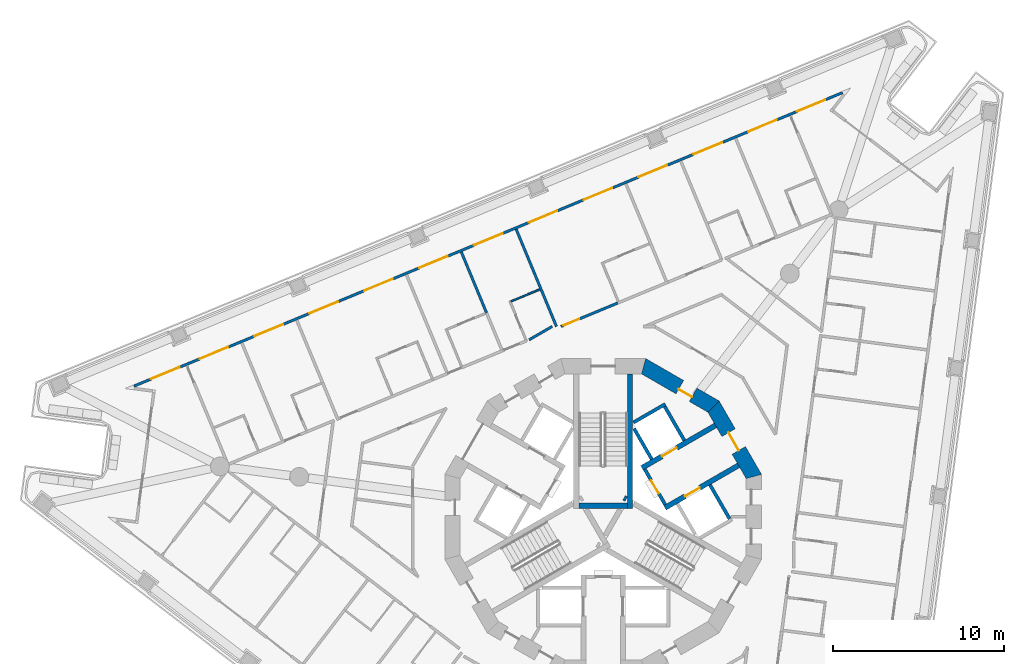
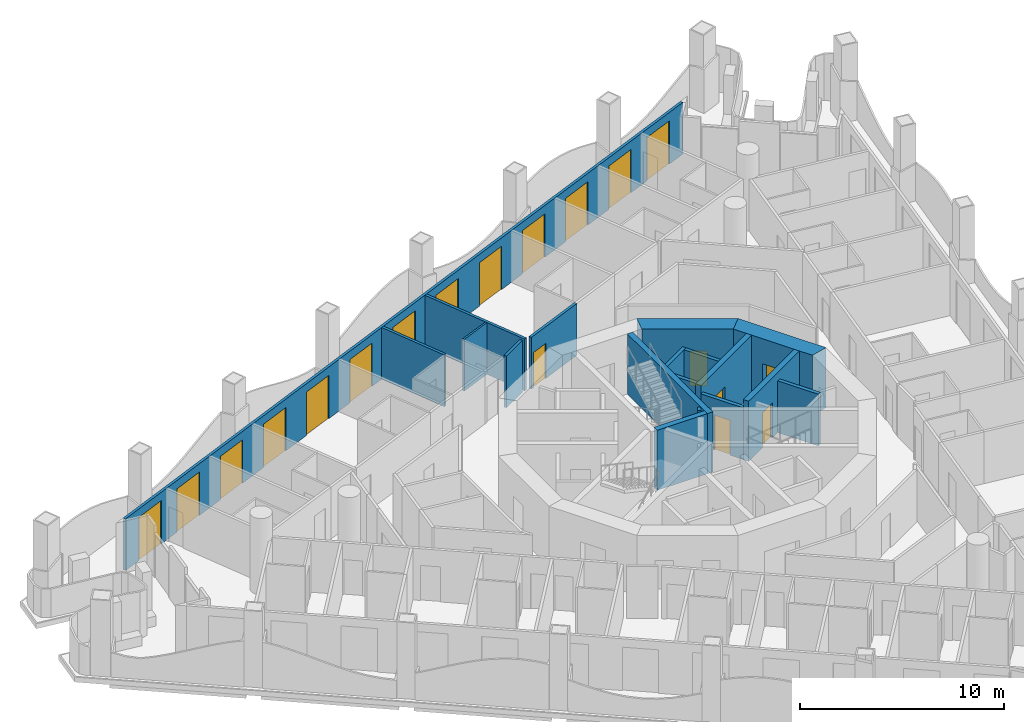
# One storey, part 8 of 17: 19 doors, 18 walls, 19 openings.
"""IFC4 building model written with IfcOpenShell, lengths in metres."""

from ifc_helpers import new_model, si_unit, direction, frame, frame_2d, origin, place, context, subcontext, project, spatial, polyline, rectangle, outline, extrude, material, layer, layer_set, type_object, element, fill, save


model = new_model("IFC4")

# Units and contexts
model_context = context("Model", 3, precision=1e-05, world=origin(), true_north=direction((0.0, 1.0)))
body_context = subcontext(model_context, "Body", "Model", "MODEL_VIEW")
ifc_project = project(units=[si_unit("LENGTHUNIT", "METRE"), si_unit("AREAUNIT", "SQUARE_METRE"), si_unit("VOLUMEUNIT", "CUBIC_METRE"), si_unit("PLANEANGLEUNIT", "RADIAN"), si_unit("MASSUNIT", "GRAM", prefix="KILO")], contexts=[model_context])

# Site, building, storey
site_placement = place(None, origin())
site = spatial("IfcSite", under=ifc_project, at=site_placement, CompositionType="ELEMENT")
building_placement = place(site_placement, origin())
building = spatial("IfcBuilding", under=site, at=building_placement, Name="Trine Commons Tower", CompositionType="ELEMENT")
storey_placement = place(building_placement, frame((0.0, 0.0, 153.0)))
storey = spatial("IfcBuildingStorey", under=building, at=storey_placement, Name="L39", CompositionType="ELEMENT", Elevation=153.0)

# Wall, openings, doors
ifc_material_1 = material(Name="Aluminium-framed insulated wall panel", Category="aluminium")
ifc_layer_1 = layer(ifc_material_1, 0.14990234375)
ifc_layer_set_1 = layer_set([ifc_layer_1], Name="Aluminium-framed insulated wall panel")
wall_type_1 = type_object("IfcWallType", Name="Glazed frame wall 150, EI 60", PredefinedType="SOLIDWALL", material=ifc_layer_set_1)
wall_1_placement = place(storey_placement, frame((52.38671875, 70.099609375, 0.0), z_axis=(0.0, 0.0, 1.0), x_axis=(0.92388051416, 0.382681062447, 0.0)))
wall_1 = element("IfcWall", 1, at=wall_1_placement, inside=storey, type_object=wall_type_1, Name="Glazed frame wall F1", PredefinedType="SOLIDWALL", context=body_context, shape_type="SweptSolid", body=[
    extrude(outline(polyline([(0.1494140625, 0.074951171875), (0.1494140625, -0.074951171875), (45.056884765625, -0.074951171875), (45.056884765625, 0.074951171875), (0.1494140625, 0.074951171875)])), origin(), (0.0, 0.0, 1.0), 3.10009765625),
])
opening_1_placement = place(wall_1_placement, frame((1.23876953125, 0.0, 0.0)))
opening_1 = element("IfcOpeningElement", 2, at=opening_1_placement, cuts=wall_1, Name="Opening BD-4F1-01", PredefinedType="OPENING", context=body_context, shape_type="SweptSolid", body=[
    extrude(rectangle(XDim=1.800048828125, YDim=2.60009765625, at=frame_2d((0.89990234375, 1.300048828125))), frame((0.0, 0.0849609375, 0.0), z_axis=(0.0, -1.0, 0.0), x_axis=(1.0, 0.0, 0.0)), (0.0, 0.0, 1.0), 0.169921875),
])
opening_2_placement = place(wall_1_placement, frame((4.316162109375, 0.0, 0.0)))
opening_2 = element("IfcOpeningElement", 3, at=opening_2_placement, cuts=wall_1, Name="Opening BD-4F1-02", PredefinedType="OPENING", context=body_context, shape_type="SweptSolid", body=[
    extrude(rectangle(XDim=1.800048828125, YDim=2.60009765625, at=frame_2d((0.89990234375, 1.300048828125))), frame((0.0, 0.0849609375, 0.0), z_axis=(0.0, -1.0, 0.0), x_axis=(1.0, 0.0, 0.0)), (0.0, 0.0, 1.0), 0.169921875),
])
opening_3_placement = place(wall_1_placement, frame((7.79345703125, 0.0, 0.0)))
opening_3 = element("IfcOpeningElement", 4, at=opening_3_placement, cuts=wall_1, Name="Opening BD-4F1-03", PredefinedType="OPENING", context=body_context, shape_type="SweptSolid", body=[
    extrude(rectangle(XDim=1.800048828125, YDim=2.60009765625, at=frame_2d((0.89990234375, 1.300048828125))), frame((0.0, 0.0849609375, 0.0), z_axis=(0.0, -1.0, 0.0), x_axis=(1.0, 0.0, 0.0)), (0.0, 0.0, 1.0), 0.169921875),
])
opening_4_placement = place(wall_1_placement, frame((11.27099609375, 0.0, 0.0)))
opening_4 = element("IfcOpeningElement", 5, at=opening_4_placement, cuts=wall_1, Name="Opening BD-4F1-04", PredefinedType="OPENING", context=body_context, shape_type="SweptSolid", body=[
    extrude(rectangle(XDim=1.800048828125, YDim=2.60009765625, at=frame_2d((0.89990234375, 1.300048828125))), frame((0.0, 0.0849609375, 0.0), z_axis=(0.0, -1.0, 0.0), x_axis=(1.0, 0.0, 0.0)), (0.0, 0.0, 1.0), 0.169921875),
])
opening_5_placement = place(wall_1_placement, frame((14.748291015625, 0.0, 0.0)))
opening_5 = element("IfcOpeningElement", 6, at=opening_5_placement, cuts=wall_1, Name="Opening BD-4F1-05", PredefinedType="OPENING", context=body_context, shape_type="SweptSolid", body=[
    extrude(rectangle(XDim=1.800048828125, YDim=2.60009765625, at=frame_2d((0.89990234375, 1.300048828125))), frame((0.0, 0.0849609375, 0.0), z_axis=(0.0, -1.0, 0.0), x_axis=(1.0, 0.0, 0.0)), (0.0, 0.0, 1.0), 0.169921875),
])
opening_6_placement = place(wall_1_placement, frame((18.2255859375, 0.0, 0.0)))
opening_6 = element("IfcOpeningElement", 7, at=opening_6_placement, cuts=wall_1, Name="Opening BD-4F1-06", PredefinedType="OPENING", context=body_context, shape_type="SweptSolid", body=[
    extrude(rectangle(XDim=1.800048828125, YDim=2.60009765625, at=frame_2d((0.89990234375, 1.300048828125))), frame((0.0, 0.0849609375, 0.0), z_axis=(0.0, -1.0, 0.0), x_axis=(1.0, 0.0, 0.0)), (0.0, 0.0, 1.0), 0.169921875),
])
opening_7_placement = place(wall_1_placement, frame((21.703125, 0.0, 0.0)))
opening_7 = element("IfcOpeningElement", 8, at=opening_7_placement, cuts=wall_1, Name="Opening BD-4F1-07", PredefinedType="OPENING", context=body_context, shape_type="SweptSolid", body=[
    extrude(rectangle(XDim=1.800048828125, YDim=2.60009765625, at=frame_2d((0.89990234375, 1.300048828125))), frame((0.0, 0.0849609375, 0.0), z_axis=(0.0, -1.0, 0.0), x_axis=(1.0, 0.0, 0.0)), (0.0, 0.0, 1.0), 0.169921875),
])
opening_8_placement = place(wall_1_placement, frame((25.180419921875, 0.0, 0.0)))
opening_8 = element("IfcOpeningElement", 9, at=opening_8_placement, cuts=wall_1, Name="Opening BD-4F1-08", PredefinedType="OPENING", context=body_context, shape_type="SweptSolid", body=[
    extrude(rectangle(XDim=1.800048828125, YDim=2.60009765625, at=frame_2d((0.89990234375, 1.300048828125))), frame((0.0, 0.0849609375, 0.0), z_axis=(0.0, -1.0, 0.0), x_axis=(1.0, 0.0, 0.0)), (0.0, 0.0, 1.0), 0.169921875),
])
opening_9_placement = place(wall_1_placement, frame((28.657958984375, 0.0, 0.0)))
opening_9 = element("IfcOpeningElement", 10, at=opening_9_placement, cuts=wall_1, Name="Opening BD-4F1-09", PredefinedType="OPENING", context=body_context, shape_type="SweptSolid", body=[
    extrude(rectangle(XDim=1.800048828125, YDim=2.60009765625, at=frame_2d((0.89990234375, 1.300048828125))), frame((0.0, 0.0849609375, 0.0), z_axis=(0.0, -1.0, 0.0), x_axis=(1.0, 0.0, 0.0)), (0.0, 0.0, 1.0), 0.169921875),
])
opening_10_placement = place(wall_1_placement, frame((32.13525390625, 0.0, 0.0)))
opening_10 = element("IfcOpeningElement", 11, at=opening_10_placement, cuts=wall_1, Name="Opening BD-4F1-10", PredefinedType="OPENING", context=body_context, shape_type="SweptSolid", body=[
    extrude(rectangle(XDim=1.800048828125, YDim=2.60009765625, at=frame_2d((0.89990234375, 1.300048828125))), frame((0.0, 0.0849609375, 0.0), z_axis=(0.0, -1.0, 0.0), x_axis=(1.0, 0.0, 0.0)), (0.0, 0.0, 1.0), 0.169921875),
])
opening_11_placement = place(wall_1_placement, frame((35.61279296875, 0.0, 0.0)))
opening_11 = element("IfcOpeningElement", 12, at=opening_11_placement, cuts=wall_1, Name="Opening BD-4F1-11", PredefinedType="OPENING", context=body_context, shape_type="SweptSolid", body=[
    extrude(rectangle(XDim=1.800048828125, YDim=2.60009765625, at=frame_2d((0.89990234375, 1.300048828125))), frame((0.0, 0.0849609375, 0.0), z_axis=(0.0, -1.0, 0.0), x_axis=(1.0, 0.0, 0.0)), (0.0, 0.0, 1.0), 0.169921875),
])
opening_12_placement = place(wall_1_placement, frame((39.090087890625, 0.0, 0.0)))
opening_12 = element("IfcOpeningElement", 13, at=opening_12_placement, cuts=wall_1, Name="Opening BD-4F1-12", PredefinedType="OPENING", context=body_context, shape_type="SweptSolid", body=[
    extrude(rectangle(XDim=1.800048828125, YDim=2.60009765625, at=frame_2d((0.89990234375, 1.300048828125))), frame((0.0, 0.0849609375, 0.0), z_axis=(0.0, -1.0, 0.0), x_axis=(1.0, 0.0, 0.0)), (0.0, 0.0, 1.0), 0.169921875),
])
opening_13_placement = place(wall_1_placement, frame((42.16748046875, 0.0, 0.0)))
opening_13 = element("IfcOpeningElement", 14, at=opening_13_placement, cuts=wall_1, Name="Opening BD-4F1-13", PredefinedType="OPENING", context=body_context, shape_type="SweptSolid", body=[
    extrude(rectangle(XDim=1.800048828125, YDim=2.60009765625, at=frame_2d((0.89990234375, 1.300048828125))), frame((0.0, 0.0849609375, 0.0), z_axis=(0.0, -1.0, 0.0), x_axis=(1.0, 0.0, 0.0)), (0.0, 0.0, 1.0), 0.169921875),
])
ifc_material_2 = material(Name="Anodised aluminium frame with double glazing", Category="aluminium")
door_type_1 = type_object("IfcDoorType", Name="Sliding loggia door 1800x2600", OperationType="SLIDING_TO_LEFT", PredefinedType="DOOR", material=ifc_material_2)
door_1_placement = place(opening_1_placement, origin())
door_1 = element("IfcDoor", 15, at=door_1_placement, inside=storey, type_object=door_type_1, Name="Loggia door F1 1", OperationType="SLIDING_TO_LEFT", OverallHeight=2.60009765625, OverallWidth=1.800048828125, PredefinedType="DOOR", context=body_context, shape_type="SweptSolid", body=[
    extrude(rectangle(XDim=1.800048828125, YDim=2.60009765625, at=frame_2d((0.89990234375, 1.300048828125))), frame((0.0, 0.02490234375, 0.0), z_axis=(0.0, -1.0, 0.0), x_axis=(1.0, 0.0, 0.0)), (0.0, 0.0, 1.0), 0.050048828125),
])
fill(opening_1, door_1)
door_2_placement = place(opening_2_placement, origin())
door_2 = element("IfcDoor", 16, at=door_2_placement, inside=storey, type_object=door_type_1, Name="Loggia door F1 2", OperationType="SLIDING_TO_LEFT", OverallHeight=2.60009765625, OverallWidth=1.800048828125, PredefinedType="DOOR", context=body_context, shape_type="SweptSolid", body=[
    extrude(rectangle(XDim=1.800048828125, YDim=2.60009765625, at=frame_2d((0.89990234375, 1.300048828125))), frame((0.0, 0.02490234375, 0.0), z_axis=(0.0, -1.0, 0.0), x_axis=(1.0, 0.0, 0.0)), (0.0, 0.0, 1.0), 0.050048828125),
])
fill(opening_2, door_2)
door_3_placement = place(opening_3_placement, origin())
door_3 = element("IfcDoor", 17, at=door_3_placement, inside=storey, type_object=door_type_1, Name="Loggia door F1 3", OperationType="SLIDING_TO_LEFT", OverallHeight=2.60009765625, OverallWidth=1.800048828125, PredefinedType="DOOR", context=body_context, shape_type="SweptSolid", body=[
    extrude(rectangle(XDim=1.800048828125, YDim=2.60009765625, at=frame_2d((0.89990234375, 1.300048828125))), frame((0.0, 0.02490234375, 0.0), z_axis=(0.0, -1.0, 0.0), x_axis=(1.0, 0.0, 0.0)), (0.0, 0.0, 1.0), 0.050048828125),
])
fill(opening_3, door_3)
door_4_placement = place(opening_4_placement, origin())
door_4 = element("IfcDoor", 18, at=door_4_placement, inside=storey, type_object=door_type_1, Name="Loggia door F1 4", OperationType="SLIDING_TO_LEFT", OverallHeight=2.60009765625, OverallWidth=1.800048828125, PredefinedType="DOOR", context=body_context, shape_type="SweptSolid", body=[
    extrude(rectangle(XDim=1.800048828125, YDim=2.60009765625, at=frame_2d((0.89990234375, 1.300048828125))), frame((0.0, 0.02490234375, 0.0), z_axis=(0.0, -1.0, 0.0), x_axis=(1.0, 0.0, 0.0)), (0.0, 0.0, 1.0), 0.050048828125),
])
fill(opening_4, door_4)
door_5_placement = place(opening_5_placement, origin())
door_5 = element("IfcDoor", 19, at=door_5_placement, inside=storey, type_object=door_type_1, Name="Loggia door F1 5", OperationType="SLIDING_TO_LEFT", OverallHeight=2.60009765625, OverallWidth=1.800048828125, PredefinedType="DOOR", context=body_context, shape_type="SweptSolid", body=[
    extrude(rectangle(XDim=1.800048828125, YDim=2.60009765625, at=frame_2d((0.89990234375, 1.300048828125))), frame((0.0, 0.02490234375, 0.0), z_axis=(0.0, -1.0, 0.0), x_axis=(1.0, 0.0, 0.0)), (0.0, 0.0, 1.0), 0.050048828125),
])
fill(opening_5, door_5)
door_6_placement = place(opening_6_placement, origin())
door_6 = element("IfcDoor", 20, at=door_6_placement, inside=storey, type_object=door_type_1, Name="Loggia door F1 6", OperationType="SLIDING_TO_LEFT", OverallHeight=2.60009765625, OverallWidth=1.800048828125, PredefinedType="DOOR", context=body_context, shape_type="SweptSolid", body=[
    extrude(rectangle(XDim=1.800048828125, YDim=2.60009765625, at=frame_2d((0.89990234375, 1.300048828125))), frame((0.0, 0.02490234375, 0.0), z_axis=(0.0, -1.0, 0.0), x_axis=(1.0, 0.0, 0.0)), (0.0, 0.0, 1.0), 0.050048828125),
])
fill(opening_6, door_6)
door_7_placement = place(opening_7_placement, origin())
door_7 = element("IfcDoor", 21, at=door_7_placement, inside=storey, type_object=door_type_1, Name="Loggia door F1 7", OperationType="SLIDING_TO_LEFT", OverallHeight=2.60009765625, OverallWidth=1.800048828125, PredefinedType="DOOR", context=body_context, shape_type="SweptSolid", body=[
    extrude(rectangle(XDim=1.800048828125, YDim=2.60009765625, at=frame_2d((0.89990234375, 1.300048828125))), frame((0.0, 0.02490234375, 0.0), z_axis=(0.0, -1.0, 0.0), x_axis=(1.0, 0.0, 0.0)), (0.0, 0.0, 1.0), 0.050048828125),
])
fill(opening_7, door_7)
door_8_placement = place(opening_8_placement, origin())
door_8 = element("IfcDoor", 22, at=door_8_placement, inside=storey, type_object=door_type_1, Name="Loggia door F1 8", OperationType="SLIDING_TO_LEFT", OverallHeight=2.60009765625, OverallWidth=1.800048828125, PredefinedType="DOOR", context=body_context, shape_type="SweptSolid", body=[
    extrude(rectangle(XDim=1.800048828125, YDim=2.60009765625, at=frame_2d((0.89990234375, 1.300048828125))), frame((0.0, 0.02490234375, 0.0), z_axis=(0.0, -1.0, 0.0), x_axis=(1.0, 0.0, 0.0)), (0.0, 0.0, 1.0), 0.050048828125),
])
fill(opening_8, door_8)
door_9_placement = place(opening_9_placement, origin())
door_9 = element("IfcDoor", 23, at=door_9_placement, inside=storey, type_object=door_type_1, Name="Loggia door F1 9", OperationType="SLIDING_TO_LEFT", OverallHeight=2.60009765625, OverallWidth=1.800048828125, PredefinedType="DOOR", context=body_context, shape_type="SweptSolid", body=[
    extrude(rectangle(XDim=1.800048828125, YDim=2.60009765625, at=frame_2d((0.89990234375, 1.300048828125))), frame((0.0, 0.02490234375, 0.0), z_axis=(0.0, -1.0, 0.0), x_axis=(1.0, 0.0, 0.0)), (0.0, 0.0, 1.0), 0.050048828125),
])
fill(opening_9, door_9)
door_10_placement = place(opening_10_placement, origin())
door_10 = element("IfcDoor", 24, at=door_10_placement, inside=storey, type_object=door_type_1, Name="Loggia door F1 10", OperationType="SLIDING_TO_LEFT", OverallHeight=2.60009765625, OverallWidth=1.800048828125, PredefinedType="DOOR", context=body_context, shape_type="SweptSolid", body=[
    extrude(rectangle(XDim=1.800048828125, YDim=2.60009765625, at=frame_2d((0.89990234375, 1.300048828125))), frame((0.0, 0.02490234375, 0.0), z_axis=(0.0, -1.0, 0.0), x_axis=(1.0, 0.0, 0.0)), (0.0, 0.0, 1.0), 0.050048828125),
])
fill(opening_10, door_10)
door_11_placement = place(opening_11_placement, origin())
door_11 = element("IfcDoor", 25, at=door_11_placement, inside=storey, type_object=door_type_1, Name="Loggia door F1 11", OperationType="SLIDING_TO_LEFT", OverallHeight=2.60009765625, OverallWidth=1.800048828125, PredefinedType="DOOR", context=body_context, shape_type="SweptSolid", body=[
    extrude(rectangle(XDim=1.800048828125, YDim=2.60009765625, at=frame_2d((0.89990234375, 1.300048828125))), frame((0.0, 0.02490234375, 0.0), z_axis=(0.0, -1.0, 0.0), x_axis=(1.0, 0.0, 0.0)), (0.0, 0.0, 1.0), 0.050048828125),
])
fill(opening_11, door_11)
door_12_placement = place(opening_12_placement, origin())
door_12 = element("IfcDoor", 26, at=door_12_placement, inside=storey, type_object=door_type_1, Name="Loggia door F1 12", OperationType="SLIDING_TO_LEFT", OverallHeight=2.60009765625, OverallWidth=1.800048828125, PredefinedType="DOOR", context=body_context, shape_type="SweptSolid", body=[
    extrude(rectangle(XDim=1.800048828125, YDim=2.60009765625, at=frame_2d((0.89990234375, 1.300048828125))), frame((0.0, 0.02490234375, 0.0), z_axis=(0.0, -1.0, 0.0), x_axis=(1.0, 0.0, 0.0)), (0.0, 0.0, 1.0), 0.050048828125),
])
fill(opening_12, door_12)
door_13_placement = place(opening_13_placement, origin())
door_13 = element("IfcDoor", 27, at=door_13_placement, inside=storey, type_object=door_type_1, Name="Loggia door F1 13", OperationType="SLIDING_TO_LEFT", OverallHeight=2.60009765625, OverallWidth=1.800048828125, PredefinedType="DOOR", context=body_context, shape_type="SweptSolid", body=[
    extrude(rectangle(XDim=1.800048828125, YDim=2.60009765625, at=frame_2d((0.89990234375, 1.300048828125))), frame((0.0, 0.02490234375, 0.0), z_axis=(0.0, -1.0, 0.0), x_axis=(1.0, 0.0, 0.0)), (0.0, 0.0, 1.0), 0.050048828125),
])
fill(opening_13, door_13)

# Wall, opening, door
ifc_material_3 = material(Name="Fire-rated gypsum shaft wall system")
ifc_layer_2 = layer(ifc_material_3, 0.199951171875)
ifc_layer_set_2 = layer_set([ifc_layer_2], Name="Fire-rated gypsum shaft wall system")
wall_type_2 = type_object("IfcWallType", Name="Lobby end wall 200 mm, EI 120", PredefinedType="PARTITIONING", material=ifc_layer_set_2)
wall_2_placement = place(storey_placement, frame((83.631103515625, 63.2109375, 0.0), z_axis=(0.0, 0.0, 1.0), x_axis=(-0.50012165622, 0.865955154139, 0.0)))
wall_2 = element("IfcWall", 28, at=wall_2_placement, inside=storey, type_object=wall_type_2, Name="Lobby end wall L39", PredefinedType="PARTITIONING", context=body_context, shape_type="SweptSolid", body=[
    extrude(rectangle(XDim=2.39990234375, YDim=0.199951171875, at=frame_2d((1.199951171875, 0.0))), origin(), (0.0, 0.0, 1.0), 3.10009765625),
])
opening_14_placement = place(wall_2_placement, frame((0.749755859375, 0.0, 0.0)))
opening_14 = element("IfcOpeningElement", 29, at=opening_14_placement, cuts=wall_2, Name="Opening K10.05", PredefinedType="OPENING", context=body_context, shape_type="SweptSolid", body=[
    extrude(rectangle(XDim=0.89990234375, YDim=2.10009765625, at=frame_2d((0.449951171875, 1.050048828125))), frame((0.0, 0.10986328125, 0.0), z_axis=(0.0, -1.0, 0.0), x_axis=(1.0, 0.0, 0.0)), (0.0, 0.0, 1.0), 0.219970703125),
])
ifc_material_4 = material(Name="Steel door leaf, fire-rated", Category="steel")
door_type_2 = type_object("IfcDoorType", Name="Riser access door, single leaf 900 x 2100, FD60", OperationType="SINGLE_SWING_LEFT", PredefinedType="DOOR", material=ifc_material_4)
door_14_placement = place(opening_14_placement, frame((0.89990234375, 0.0, 0.0), z_axis=(0.0, 0.0, 1.0), x_axis=(-1.0, 0.0, 0.0)))
door_14 = element("IfcDoor", 30, at=door_14_placement, inside=storey, type_object=door_type_2, Name="Riser door, Electrical riser L39", OperationType="SINGLE_SWING_LEFT", OverallHeight=2.10009765625, OverallWidth=0.89990234375, PredefinedType="DOOR", context=body_context, shape_type="SweptSolid", body=[
    extrude(rectangle(XDim=0.89990234375, YDim=2.10009765625, at=frame_2d((0.449951171875, 1.050048828125))), frame((0.0, 0.02490234375, 0.0), z_axis=(0.0, -1.0, 0.0), x_axis=(1.0, 0.0, 0.0)), (0.0, 0.0, 1.0), 0.050048828125),
])
fill(opening_14, door_14)

ifc_material_5 = material(Name="Concrete C70/85", Category="concrete")
ifc_layer_3 = layer(ifc_material_5, 0.300048828125)
ifc_layer_set_3 = layer_set([ifc_layer_3], Name="Concrete C70/85")
wall_type_3 = type_object("IfcWallType", Name="RC shear wall 300 mm, C70/85", PredefinedType="SHEAR", material=ifc_layer_set_3)
wall_3_placement = place(storey_placement, frame((82.26904296875, 65.368896484375, 0.0), z_axis=(0.0, 0.0, 1.0), x_axis=(0.865983655544, 0.500072303102, 0.0)))
wall_3 = element("IfcWall", 31, at=wall_3_placement, inside=storey, type_object=wall_type_3, Name="Core cross wall SWB-05 L39", PredefinedType="SHEAR", context=body_context, shape_type="SweptSolid", body=[
    extrude(rectangle(XDim=4.973388671875, YDim=0.300048828125, at=frame_2d((2.48681640625, 0.0))), origin(), (0.0, 0.0, 1.0), 3.60009765625),
])
opening_15_placement = place(wall_3_placement, frame((1.3505859375, 0.0, 0.0)))
opening_15 = element("IfcOpeningElement", 32, at=opening_15_placement, cuts=wall_3, Name="Opening LD5", PredefinedType="OPENING", context=body_context, shape_type="SweptSolid", body=[
    extrude(rectangle(XDim=1.0, YDim=2.10009765625, at=frame_2d((0.5, 1.050048828125))), frame((0.0, 0.159912109375, 0.0), z_axis=(0.0, -1.0, 0.0), x_axis=(1.0, 0.0, 0.0)), (0.0, 0.0, 1.0), 0.320068359375),
])
ifc_material_6 = material(Name="Stainless steel sliding door leaves", Category="steel")
door_type_3 = type_object("IfcDoorType", Name="Lift landing door, centre-opening sliding 1000 x 2100, FD90", OperationType="DOUBLE_DOOR_SLIDING", PredefinedType="DOOR", material=ifc_material_6)
door_15_placement = place(opening_15_placement, origin())
door_15 = element("IfcDoor", 33, at=door_15_placement, inside=storey, type_object=door_type_3, Name="Lift landing door HR1 L39", OperationType="DOUBLE_DOOR_SLIDING", OverallHeight=2.10009765625, OverallWidth=1.0, PredefinedType="DOOR", context=body_context, shape_type="SweptSolid", body=[
    extrude(rectangle(XDim=1.0, YDim=2.10009765625, at=frame_2d((0.5, 1.050048828125))), frame((0.0, 0.02490234375, 0.0), z_axis=(0.0, -1.0, 0.0), x_axis=(1.0, 0.0, 0.0)), (0.0, 0.0, 1.0), 0.050048828125),
])
fill(opening_15, door_15)

wall_4_placement = place(storey_placement, frame((83.618896484375, 63.031005859375, 0.0), z_axis=(0.0, 0.0, 1.0), x_axis=(0.866080953719, 0.499903772346, 0.0)))
wall_4 = element("IfcWall", 34, at=wall_4_placement, inside=storey, type_object=wall_type_3, Name="Core cross wall SWB-06 L39", PredefinedType="SHEAR", context=body_context, shape_type="SweptSolid", body=[
    extrude(rectangle(XDim=4.97314453125, YDim=0.300048828125, at=frame_2d((2.486572265625, 0.0))), origin(), (0.0, 0.0, 1.0), 3.60009765625),
])
opening_16_placement = place(wall_4_placement, frame((1.350341796875, 0.0, 0.0)))
opening_16 = element("IfcOpeningElement", 35, at=opening_16_placement, cuts=wall_4, Name="Opening LD6", PredefinedType="OPENING", context=body_context, shape_type="SweptSolid", body=[
    extrude(rectangle(XDim=1.0, YDim=2.10009765625, at=frame_2d((0.5, 1.050048828125))), frame((0.0, 0.159912109375, 0.0), z_axis=(0.0, -1.0, 0.0), x_axis=(1.0, 0.0, 0.0)), (0.0, 0.0, 1.0), 0.320068359375),
])
door_16_placement = place(opening_16_placement, origin())
door_16 = element("IfcDoor", 36, at=door_16_placement, inside=storey, type_object=door_type_3, Name="Lift landing door HR2 L39", OperationType="DOUBLE_DOOR_SLIDING", OverallHeight=2.10009765625, OverallWidth=1.0, PredefinedType="DOOR", context=body_context, shape_type="SweptSolid", body=[
    extrude(rectangle(XDim=1.0, YDim=2.10009765625, at=frame_2d((0.5, 1.050048828125))), frame((0.0, 0.02490234375, 0.0), z_axis=(0.0, -1.0, 0.0), x_axis=(1.0, 0.0, 0.0)), (0.0, 0.0, 1.0), 0.050048828125),
])
fill(opening_16, door_16)

# Walls
wall_5_placement = place(storey_placement, frame((81.220947265625, 63.614013671875, 0.0), z_axis=(0.0, 0.0, 1.0), x_axis=(0.867737973955, -0.497021939713, 0.0)))
element("IfcWall", 37, at=wall_5_placement, inside=storey, type_object=wall_type_3, Name="Core cross wall SWB-15 L39", PredefinedType="SHEAR", context=body_context, shape_type="SweptSolid", body=[
    extrude(rectangle(XDim=0.14892578125, YDim=0.300048828125, at=frame_2d((0.074462890625, 0.0))), origin(), (0.0, 0.0, 1.0), 3.60009765625),
])
wall_6_placement = place(storey_placement, frame((81.425048828125, 63.15087890625, 0.0), z_axis=(0.0, 0.0, 1.0), x_axis=(-1.0, 0.0, 0.0)))
element("IfcWall", 38, at=wall_6_placement, inside=storey, type_object=wall_type_3, Name="Core cross wall SWB-16 L39", PredefinedType="SHEAR", context=body_context, shape_type="SweptSolid", body=[
    extrude(rectangle(XDim=2.85009765625, YDim=0.300048828125, at=frame_2d((1.425048828125, 0.0))), origin(), (0.0, 0.0, 1.0), 3.60009765625),
])
wall_7_placement = place(storey_placement, frame((81.574951171875, 63.0009765625, 0.0), z_axis=(0.0, 0.0, 1.0), x_axis=(0.0, 1.0, 0.0)))
element("IfcWall", 39, at=wall_7_placement, inside=storey, type_object=wall_type_3, Name="Core cross wall SWB-17 L39", PredefinedType="SHEAR", context=body_context, shape_type="SweptSolid", body=[
    extrude(rectangle(XDim=7.8720703125, YDim=0.300048828125, at=frame_2d((3.93603515625, 0.0))), origin(), (0.0, 0.0, 1.0), 3.60009765625),
])

# Wall, opening, door
ifc_layer_4 = layer(ifc_material_5, 0.89990234375)
ifc_layer_set_4 = layer_set([ifc_layer_4], Name="Concrete C70/85")
wall_type_4 = type_object("IfcWallType", Name="RC shear wall 900 mm, C70/85", PredefinedType="SHEAR", material=ifc_layer_set_4)
wall_8_placement = place(storey_placement, frame((88.88330078125, 64.759765625, 0.0), z_axis=(0.0, 0.0, 1.0), x_axis=(-0.500038571144, 0.866003133579, 0.0)))
wall_8 = element("IfcWall", 40, at=wall_8_placement, inside=storey, type_object=wall_type_4, Name="Core wall CWD-02 L39", PredefinedType="SHEAR", context=body_context, shape_type="SweptSolid", body=[
    extrude(outline(polyline([(0.0, -0.449951171875), (4.96923828125, -0.449951171875), (4.72802734375, 0.449951171875), (0.2412109375, 0.449951171875), (0.0, -0.449951171875)])), origin(), (0.0, 0.0, 1.0), 3.60009765625),
])
opening_17_placement = place(wall_8_placement, frame((1.884521484375, 0.0, 0.0)))
opening_17 = element("IfcOpeningElement", 41, at=opening_17_placement, cuts=wall_8, Name="Opening K10.04", PredefinedType="OPENING", context=body_context, shape_type="SweptSolid", body=[
    extrude(rectangle(XDim=1.199951171875, YDim=2.10009765625, at=frame_2d((0.60009765625, 1.050048828125))), frame((0.0, 0.4599609375, 0.0), z_axis=(0.0, -1.0, 0.0), x_axis=(1.0, 0.0, 0.0)), (0.0, 0.0, 1.0), 0.919921875),
])
ifc_material_7 = material(Name="Steel door leaves, fire-rated", Category="steel")
door_type_4 = type_object("IfcDoorType", Name="Lobby door, double leaf 1200 x 2100, FD60", OperationType="DOUBLE_DOOR_SINGLE_SWING", PredefinedType="DOOR", material=ifc_material_7)
door_17_placement = place(opening_17_placement, origin())
door_17 = element("IfcDoor", 42, at=door_17_placement, inside=storey, type_object=door_type_4, Name="Lobby door, Passenger lift lobby A L39", OperationType="DOUBLE_DOOR_SINGLE_SWING", OverallHeight=2.10009765625, OverallWidth=1.199951171875, PredefinedType="DOOR", context=body_context, shape_type="SweptSolid", body=[
    extrude(rectangle(XDim=1.199951171875, YDim=2.10009765625, at=frame_2d((0.60009765625, 1.050048828125))), frame((0.0, 0.02490234375, 0.0), z_axis=(0.0, -1.0, 0.0), x_axis=(1.0, 0.0, 0.0)), (0.0, 0.0, 1.0), 0.050048828125),
])
fill(opening_17, door_17)

wall_9_placement = place(storey_placement, frame((86.563232421875, 68.8984375, 0.0), z_axis=(0.0, 0.0, 1.0), x_axis=(-0.866003133579, 0.500038571144, 0.0)))
wall_9 = element("IfcWall", 43, at=wall_9_placement, inside=storey, type_object=wall_type_4, Name="Core wall CWD-03 L39", PredefinedType="SHEAR", context=body_context, shape_type="SweptSolid", body=[
    extrude(outline(polyline([(0.0, -0.449951171875), (4.96923828125, -0.449951171875), (4.72802734375, 0.449951171875), (0.2412109375, 0.449951171875), (0.0, -0.449951171875)])), origin(), (0.0, 0.0, 1.0), 3.60009765625),
])
opening_18_placement = place(wall_9_placement, frame((1.49609375, 0.0, 0.0)))
opening_18 = element("IfcOpeningElement", 44, at=opening_18_placement, cuts=wall_9, Name="Opening K10.12", PredefinedType="OPENING", context=body_context, shape_type="SweptSolid", body=[
    extrude(rectangle(XDim=0.89990234375, YDim=2.10009765625, at=frame_2d((0.449951171875, 1.050048828125))), frame((0.0, 0.4599609375, 0.0), z_axis=(0.0, -1.0, 0.0), x_axis=(1.0, 0.0, 0.0)), (0.0, 0.0, 1.0), 0.919921875),
])
door_type_5 = type_object("IfcDoorType", Name="Core room door, single leaf 900 x 2100, FD30S", OperationType="SINGLE_SWING_LEFT", PredefinedType="DOOR", material=ifc_material_4)
door_18_placement = place(opening_18_placement, origin())
door_18 = element("IfcDoor", 45, at=door_18_placement, inside=storey, type_object=door_type_5, Name="Door to Pantry L39", OperationType="SINGLE_SWING_LEFT", OverallHeight=2.10009765625, OverallWidth=0.89990234375, PredefinedType="DOOR", context=body_context, shape_type="SweptSolid", body=[
    extrude(rectangle(XDim=0.89990234375, YDim=2.10009765625, at=frame_2d((0.449951171875, 1.050048828125))), frame((0.0, 0.1748046875, 0.0), z_axis=(0.0, -1.0, 0.0), x_axis=(1.0, 0.0, 0.0)), (0.0, 0.0, 1.0), 0.050048828125),
])
fill(opening_18, door_18)

# Walls
ifc_layer_5 = layer(ifc_material_3, 0.199951171875)
ifc_layer_set_5 = layer_set([ifc_layer_5], Name="Fire-rated gypsum shaft wall system")
wall_type_5 = type_object("IfcWallType", Name="Shaft wall 200 mm, EI 120", PredefinedType="PARTITIONING", material=ifc_layer_set_5)
wall_10_placement = place(storey_placement, frame((81.77490234375, 68.028076171875, 0.0), z_axis=(0.0, 0.0, 1.0), x_axis=(0.866130725101, 0.499817533742, 0.0)))
element("IfcWall", 46, at=wall_10_placement, inside=storey, type_object=wall_type_5, Name="Shaft wall L39", PredefinedType="PARTITIONING", context=body_context, shape_type="SweptSolid", body=[
    extrude(rectangle(XDim=2.148681640625, YDim=0.199951171875, at=frame_2d((1.07421875, 0.0))), origin(), (0.0, 0.0, 1.0), 3.10009765625),
])
wall_11_placement = place(storey_placement, frame((82.843994140625, 65.8740234375, 0.0), z_axis=(0.0, 0.0, 1.0), x_axis=(-0.499865770674, 0.866102887253, 0.0)))
element("IfcWall", 47, at=wall_11_placement, inside=storey, type_object=wall_type_5, Name="Shaft wall L39", PredefinedType="PARTITIONING", context=body_context, shape_type="SweptSolid", body=[
    extrude(rectangle(XDim=2.064453125, YDim=0.199951171875, at=frame_2d((1.0322265625, 0.0))), origin(), (0.0, 0.0, 1.0), 3.10009765625),
])
for number, where, z_axis, x_axis, name in (
    (48, (84.7490234375, 66.97412109375, 0.0), (0.0, 0.0, 1.0), (-0.500136062276, 0.86594683394, 0.0), "Shaft wall L39"),
    (49, (86.2490234375, 64.3759765625, 0.0), (0.0, 0.0, 1.0), (0.500136062276, -0.86594683394, 0.0), "Shaft wall L39"),
):
    element("IfcWall", number, at=place(storey_placement, frame(where, z_axis=z_axis, x_axis=x_axis)), inside=storey, type_object=wall_type_5, Name=name, PredefinedType="PARTITIONING", context=body_context, shape_type="SweptSolid", body=[
        extrude(rectangle(XDim=2.299072265625, YDim=0.199951171875, at=frame_2d((1.1494140625, 0.0))), origin(), (0.0, 0.0, 1.0), 3.10009765625),
    ])
ifc_material_8 = material(Name="Gypsum plasterboard on steel stud", Category="steel")
ifc_layer_6 = layer(ifc_material_8, 0.14990234375)
ifc_layer_set_6 = layer_set([ifc_layer_6], Name="Gypsum plasterboard on steel stud")
wall_type_6 = type_object("IfcWallType", Name="Unit and corridor wall 150 mm, EI 60", PredefinedType="PARTITIONING", material=ifc_layer_set_6)
wall_12_placement = place(storey_placement, frame((71.69140625, 78.014892578125, 0.0), z_axis=(0.0, 0.0, 1.0), x_axis=(0.382665703831, -0.923886875711, 0.0)))
element("IfcWall", 50, at=wall_12_placement, inside=storey, type_object=wall_type_6, Name="Partition 050", PredefinedType="PARTITIONING", context=body_context, shape_type="SweptSolid", body=[
    extrude(rectangle(XDim=3.869384765625, YDim=0.14990234375, at=frame_2d((1.9345703125, 0.0))), origin(), (0.0, 0.0, 1.0), 3.10009765625),
])
wall_13_placement = place(storey_placement, frame((74.904296875, 79.344970703125, 0.0), z_axis=(0.0, 0.0, 1.0), x_axis=(0.382660672574, -0.923888959597, 0.0)))
element("IfcWall", 51, at=wall_13_placement, inside=storey, type_object=wall_type_6, Name="Partition 061", PredefinedType="PARTITIONING", context=body_context, shape_type="SweptSolid", body=[
    extrude(rectangle(XDim=6.166259765625, YDim=0.14990234375, at=frame_2d((3.0830078125, 0.0))), origin(), (0.0, 0.0, 1.0), 3.10009765625),
])
wall_14_placement = place(storey_placement, frame((75.666015625, 72.8701171875, 0.0), z_axis=(0.0, 0.0, 1.0), x_axis=(0.865973841288, 0.500089298231, 0.0)))
element("IfcWall", 52, at=wall_14_placement, inside=storey, type_object=wall_type_6, Name="Partition 062", PredefinedType="PARTITIONING", context=body_context, shape_type="SweptSolid", body=[
    extrude(rectangle(XDim=1.555419921875, YDim=0.14990234375, at=frame_2d((0.77783203125, 0.0))), origin(), (0.0, 0.0, 1.0), 3.10009765625),
])

# Wall, opening, door
wall_15_placement = place(storey_placement, frame((77.531982421875, 73.64794921875, 0.0), z_axis=(0.0, 0.0, 1.0), x_axis=(0.923897383917, 0.382640332417, 0.0)))
wall_15 = element("IfcWall", 53, at=wall_15_placement, inside=storey, type_object=wall_type_6, Name="Partition 066", PredefinedType="PARTITIONING", context=body_context, shape_type="SweptSolid", body=[
    extrude(rectangle(XDim=3.66162109375, YDim=0.14990234375, at=frame_2d((1.830810546875, 0.0))), origin(), (0.0, 0.0, 1.0), 3.10009765625),
])
opening_19_placement = place(wall_15_placement, frame((0.152099609375, 0.0, 0.0)))
opening_19 = element("IfcOpeningElement", 54, at=opening_19_placement, cuts=wall_15, Name="Opening D-4C10", PredefinedType="OPENING", context=body_context, shape_type="SweptSolid", body=[
    extrude(rectangle(XDim=1.0, YDim=2.10009765625, at=frame_2d((0.5, 1.050048828125))), frame((0.0, 0.0849609375, 0.0), z_axis=(0.0, -1.0, 0.0), x_axis=(1.0, 0.0, 0.0)), (0.0, 0.0, 1.0), 0.169921875),
])
ifc_material_9 = material(Name="Timber fire door set", Category="wood")
door_type_6 = type_object("IfcDoorType", Name="Bedroom door 1000 x 2100, FD30S", OperationType="NOTDEFINED", PredefinedType="DOOR", material=ifc_material_9)
door_19_placement = place(opening_19_placement, origin())
door_19 = element("IfcDoor", 55, at=door_19_placement, inside=storey, type_object=door_type_6, Name="Door D-4C10", OperationType="SINGLE_SWING_LEFT", OverallHeight=2.10009765625, OverallWidth=1.0, PredefinedType="DOOR", context=body_context, shape_type="SweptSolid", body=[
    extrude(rectangle(XDim=1.0, YDim=2.10009765625, at=frame_2d((0.5, 1.050048828125))), frame((0.0, 0.02490234375, 0.0), z_axis=(0.0, -1.0, 0.0), x_axis=(1.0, 0.0, 0.0)), (0.0, 0.0, 1.0), 0.050048828125),
])
fill(opening_19, door_19)

# Wall
ifc_layer_7 = layer(ifc_material_8, 0.10009765625)
ifc_layer_set_7 = layer_set([ifc_layer_7], Name="Gypsum plasterboard on steel stud")
wall_type_7 = type_object("IfcWallType", Name="Unit partition 100 mm, no rating", PredefinedType="PARTITIONING", material=ifc_layer_set_7)
wall_16_placement = place(storey_placement, frame((74.59912109375, 75.1181640625, 0.0), z_axis=(0.0, 0.0, 1.0), x_axis=(0.923677447173, 0.383170945641, 0.0)))
element("IfcWall", 56, at=wall_16_placement, inside=storey, type_object=wall_type_7, Name="Partition 059", PredefinedType="PARTITIONING", context=body_context, shape_type="SweptSolid", body=[
    extrude(rectangle(XDim=1.82470703125, YDim=0.10009765625, at=frame_2d((0.912353515625, 0.0))), origin(), (0.0, 0.0, 1.0), 3.10009765625),
])

save(model, "model.ifc")
